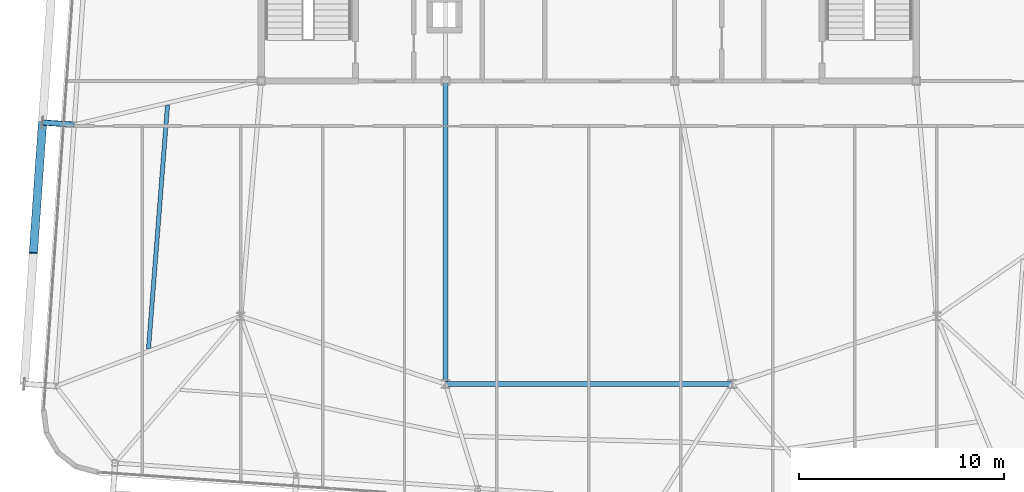
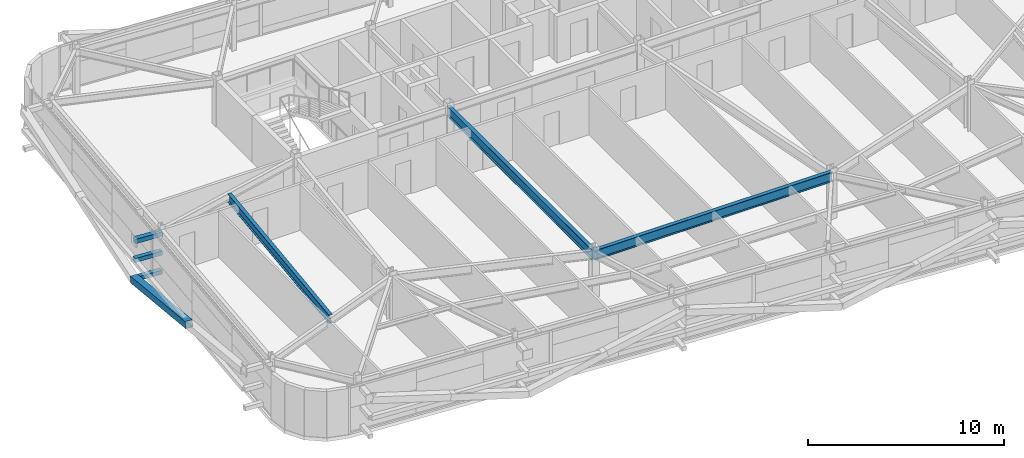
# One storey, part 10 of 39: 4 members, 3 beams.
"""IFC4 building model written with IfcOpenShell, lengths in metres."""

from ifc_helpers import new_model, si_unit, direction, frame, origin, origin_2d, place, context, subcontext, project, spatial, hollow_rectangle, i_section, extrude, source, transform, mapped, material, material_profile, profile_set, type_object, element, save


model = new_model("IFC4")

# Units and contexts
model_context = context("Model", 3, precision=1e-05, world=origin(), true_north=direction((0.0, 1.0)))
body_context = subcontext(model_context, "Body", "Model", "MODEL_VIEW")
ifc_project = project(units=[si_unit("LENGTHUNIT", "METRE"), si_unit("AREAUNIT", "SQUARE_METRE"), si_unit("VOLUMEUNIT", "CUBIC_METRE"), si_unit("PLANEANGLEUNIT", "RADIAN"), si_unit("MASSUNIT", "GRAM", prefix="KILO")], contexts=[model_context])

# Site, building, storey
site_placement = place(None, origin())
site = spatial("IfcSite", under=ifc_project, at=site_placement, CompositionType="ELEMENT")
building_placement = place(site_placement, origin())
building = spatial("IfcBuilding", under=site, at=building_placement, Name="Taldren Reach Tower", CompositionType="ELEMENT")
storey_placement = place(building_placement, frame((0.0, 0.0, 161.35009765625)))
storey = spatial("IfcBuildingStorey", under=building, at=storey_placement, Name="L49", CompositionType="ELEMENT", Elevation=161.35009765625)

# Beams
ifc_material_1 = material(Name="Steel Gr 350 (350PLUS)", Category="steel")
ifc_material_profile_1 = material_profile(ifc_material_1, i_section(OverallWidth=0.22802734375, OverallDepth=0.60205078125, WebThickness=0.010498046875, FlangeThickness=0.014892578125, at=origin_2d()), Name="610UB101")
ifc_profile_set_1 = profile_set([ifc_material_profile_1], Name="Steel Gr 350 (350PLUS)")
beam_type_1 = type_object("IfcBeamType", Name="BM-UB610B", PredefinedType="BEAM", material=ifc_profile_set_1)
shared_shape_1 = source(origin(), body_context, "Body", "SweptSolid", [
    extrude(i_section(OverallWidth=0.22802734375, OverallDepth=0.60205078125, WebThickness=0.010498046875, FlangeThickness=0.014892578125, at=origin_2d()), origin(), (0.0, 0.0, 1.0), 14.0),
])
beam_1_placement = place(storey_placement, frame((28.0, 9.199951171875, 2.56884765625), z_axis=(1.0, 0.0, 0.0), x_axis=(0.0, 1.0, 0.0)))
element("IfcBeam", 1, at=beam_1_placement, inside=storey, type_object=beam_type_1, Name="Core-spine girder L49-SP11", PredefinedType="BEAM", context=body_context, shape_type="MappedRepresentation", body=[
    mapped(shared_shape_1, transform((0.0, 0.0, 0.0), scale=1.0)),
])
shared_shape_2 = source(origin(), body_context, "Body", "SweptSolid", [
    extrude(i_section(OverallWidth=0.22802734375, OverallDepth=0.60205078125, WebThickness=0.010498046875, FlangeThickness=0.014892578125, at=origin_2d()), origin(), (0.0, 0.0, 1.0), 14.800048828125),
])
beam_2_placement = place(storey_placement, frame((28.0, 24.0, 2.56884765625), z_axis=(0.0, -1.0, 0.0), x_axis=(1.0, 0.0, 0.0)))
element("IfcBeam", 2, at=beam_2_placement, inside=storey, type_object=beam_type_1, Name="Core-spine girder L49-SP14", PredefinedType="BEAM", context=body_context, shape_type="MappedRepresentation", body=[
    mapped(shared_shape_2, transform((0.0, 0.0, 0.0), scale=1.0)),
])

# Members
ifc_material_2 = material(Name="Steel Gr 450 (C450L0)", Category="steel")
ifc_material_profile_2 = material_profile(ifc_material_2, hollow_rectangle(XDim=0.27490234375, YDim=0.27490234375, WallThickness=0.00927734375, at=origin_2d()), Name="275x275x9.3SHS")
ifc_profile_set_2 = profile_set([ifc_material_profile_2], Name="Steel Gr 450 (C450L0)")
member_type_1 = type_object("IfcMemberType", Name="MB-TIE273", PredefinedType="STRUT", material=ifc_profile_set_2)
shared_shape_3 = source(origin(), body_context, "Body", "SweptSolid", [
    extrude(hollow_rectangle(XDim=0.27490234375, YDim=0.27490234375, WallThickness=0.00927734375, at=origin_2d()), origin(), (0.0, 0.0, 1.0), 1.550048828125),
])
member_1_placement = place(storey_placement, frame((9.86181640625, 21.868408203125, 2.58984375), z_axis=(-0.99756313426, 0.06976957191, 0.0), x_axis=(-0.06976957191, -0.99756313426, 0.0)))
element("IfcMember", 3, at=member_1_placement, inside=storey, type_object=member_type_1, Name="Exoskeleton diaphragm tie strut B3-W2 L49", PredefinedType="STRUT", context=body_context, shape_type="MappedRepresentation", body=[
    mapped(shared_shape_3, transform((0.0, 0.0, 0.0), scale=1.0)),
])
ifc_material_3 = material(Name="Steel Gr 350 (C350L0)", Category="steel")
ifc_material_profile_3 = material_profile(ifc_material_3, hollow_rectangle(XDim=0.25, YDim=0.25, WallThickness=0.010009765625, at=origin_2d()), Name="250x250x10.0SHS")
ifc_profile_set_3 = profile_set([ifc_material_profile_3], Name="Steel Gr 350 (C350L0)")
member_type_2 = type_object("IfcMemberType", Name="MB-POST250", PredefinedType="POST", material=ifc_profile_set_3)
shared_shape_4 = source(origin(), body_context, "Body", "SweptSolid", [
    extrude(hollow_rectangle(XDim=0.25, YDim=0.25, WallThickness=0.010009765625, at=origin_2d()), origin(), (0.0, 0.0, 1.0), 1.550048828125),
])
for number, where, z_axis, x_axis, name in (
    (4, (9.86181640625, 21.868408203125, 0.219970703125), (-0.99756313426, 0.06976957191, 0.0), (-0.06976957191, -0.99756313426, 0.0), "Exoskeleton base diaphragm tie strut B3-W2 L49"),
    (5, (9.86181640625, 21.868408203125, 1.40478515625), (-0.99756313426, 0.06976957191, 0.0), (-0.06976957191, -0.99756313426, 0.0), "Exoskeleton mid-tier diaphragm tie B3-W2 L49"),
):
    element("IfcMember", number, at=place(storey_placement, frame(where, z_axis=z_axis, x_axis=x_axis)), inside=storey, type_object=member_type_2, Name=name, PredefinedType="POST", context=body_context, shape_type="MappedRepresentation", body=[
        mapped(shared_shape_4, transform((0.0, 0.0, 0.0), scale=1.0)),
    ])

# Beam
ifc_material_profile_4 = material_profile(ifc_material_1, i_section(OverallWidth=0.208984375, OverallDepth=0.532958984375, WebThickness=0.01025390625, FlangeThickness=0.015625, at=origin_2d()), Name="530UB92.4")
ifc_profile_set_4 = profile_set([ifc_material_profile_4], Name="Steel Gr 350 (350PLUS)")
beam_type_2 = type_object("IfcBeamType", Name="BM-UB530A", PredefinedType="BEAM", material=ifc_profile_set_4)
shared_shape_5 = source(origin(), body_context, "Body", "SweptSolid", [
    extrude(i_section(OverallWidth=0.208984375, OverallDepth=0.532958984375, WebThickness=0.01025390625, FlangeThickness=0.015625, at=origin_2d()), origin(), (0.0, 0.0, 1.0), 11.965576171875),
])
beam_3_placement = place(storey_placement, frame((13.49267578125, 10.90478515625, 2.603515625), z_axis=(0.077757433297, 0.996972307322, 0.0), x_axis=(-0.996972307322, 0.077757433297, 0.0)))
element("IfcBeam", 6, at=beam_3_placement, inside=storey, type_object=beam_type_2, Name="Secondary floor beam B3 J6 L49", PredefinedType="BEAM", context=body_context, shape_type="MappedRepresentation", body=[
    mapped(shared_shape_5, transform((0.0, 0.0, 0.0), scale=1.0)),
])

# Member
ifc_material_profile_5 = material_profile(ifc_material_2, hollow_rectangle(XDim=0.409912109375, YDim=0.409912109375, WallThickness=0.01611328125, at=origin_2d()), Name="410x410x16.0SHS")
ifc_profile_set_5 = profile_set([ifc_material_profile_5], Name="Steel Gr 450 (C450L0)")
member_type_3 = type_object("IfcMemberType", Name="MB-EXO406", PredefinedType="BRACE", material=ifc_profile_set_5)
shared_shape_6 = source(origin(), body_context, "Body", "SweptSolid", [
    extrude(hollow_rectangle(XDim=0.409912109375, YDim=0.409912109375, WallThickness=0.01611328125, at=origin_2d()), origin(), (0.0, 0.0, 1.0), 6.5087890625),
])
member_2_placement = place(storey_placement, frame((8.3154296875, 21.9765625, 0.219970703125), z_axis=(-0.068566543964, -0.980899174617, 0.182031421147), x_axis=(0.997565791441, -0.069731569223, 0.0)))
element("IfcMember", 7, at=member_2_placement, inside=storey, type_object=member_type_3, Name="Exoskeleton Diagrid Brace B3-W1 L49", PredefinedType="BRACE", context=body_context, shape_type="MappedRepresentation", body=[
    mapped(shared_shape_6, transform((0.0, 0.0, 0.0), scale=1.0)),
])

save(model, "model.ifc")
